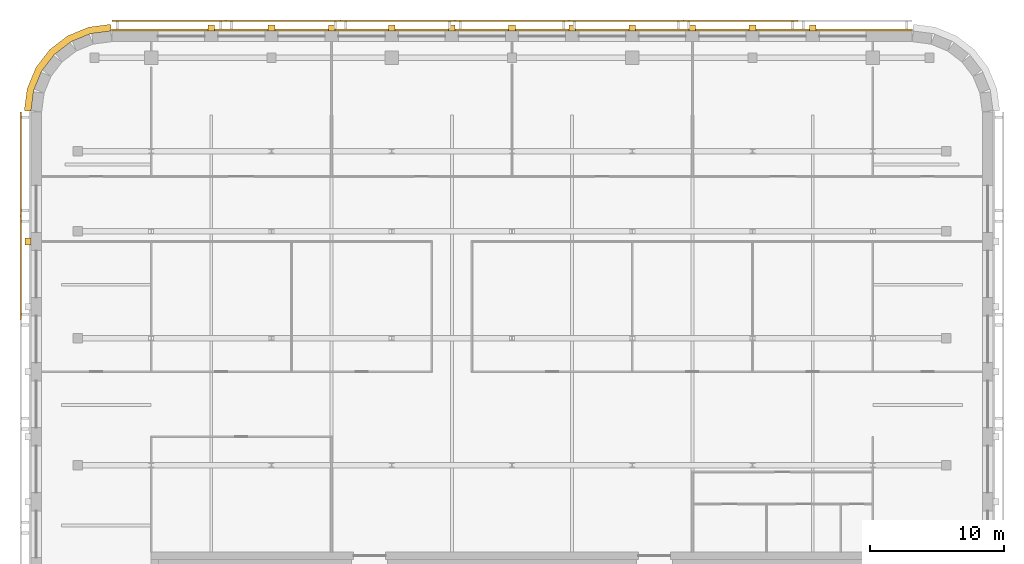
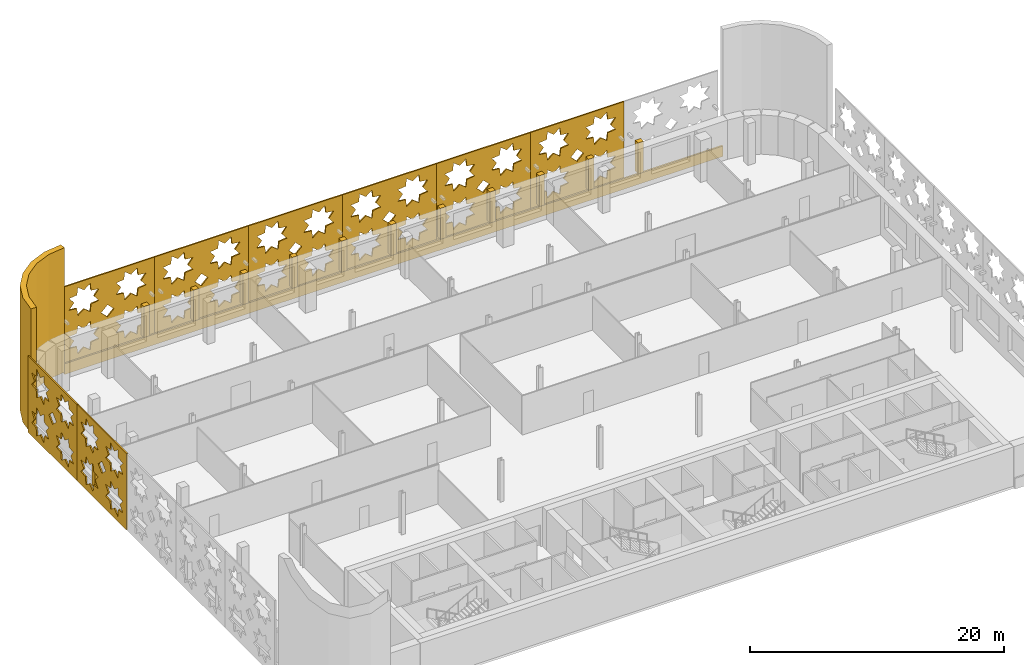
# One storey, part 15 of 16: 22 coverings.
"""IFC4 building model written with IfcOpenShell, lengths in metres."""

from ifc_helpers import new_model, si_unit, direction, frame, origin, place, context, subcontext, project, spatial, polyline, outline, extrude, material, layer, layer_set, type_object, element, save


model = new_model("IFC4")

# Units and contexts
model_context = context("Model", 3, precision=1e-05, world=origin(), true_north=direction((0.0, 1.0)))
body_context = subcontext(model_context, "Body", "Model", "MODEL_VIEW")
ifc_project = project(units=[si_unit("LENGTHUNIT", "METRE"), si_unit("AREAUNIT", "SQUARE_METRE"), si_unit("VOLUMEUNIT", "CUBIC_METRE"), si_unit("PLANEANGLEUNIT", "RADIAN"), si_unit("MASSUNIT", "GRAM", prefix="KILO")], contexts=[model_context])

# Site, building, storey
site_placement = place(None, origin())
site = spatial("IfcSite", under=ifc_project, at=site_placement, CompositionType="ELEMENT")
building_placement = place(site_placement, origin())
building = spatial("IfcBuilding", under=site, at=building_placement, Name="Zellij Exchange Tower", CompositionType="ELEMENT")
storey_placement = place(building_placement, frame((0.0, 0.0, 272.5)))
storey = spatial("IfcBuildingStorey", under=building, at=storey_placement, Name="L64", CompositionType="ELEMENT", Elevation=272.5)

# Coverings
ifc_material_1 = material(Name="Limestone cladding", Category="masonry")
ifc_layer_1 = layer(ifc_material_1, 0.14990234375)
ifc_layer_set_1 = layer_set([ifc_layer_1], Name="Limestone cladding")
covering_type_1 = type_object("IfcCoveringType", Name="ENV-CV1 Stone spandrel band 150", PredefinedType="CLADDING", material=ifc_layer_set_1)
covering_1_placement = place(storey_placement, frame((0.0, 0.0, -0.219970703125)))
element("IfcCovering", 1, at=covering_1_placement, inside=storey, type_object=covering_type_1, Name="Stone spandrel band", PredefinedType="CLADDING", context=body_context, shape_type="SweptSolid", body=[
    extrude(outline(polyline([(29.973876953125, 37.0), (-29.973876953125, 37.0), (-29.983642578125, 37.14990234375), (29.983642578125, 37.14990234375), (29.973876953125, 37.0)])), origin(), (0.0, 0.0, 1.0), 1.02001953125),
])
ifc_layer_2 = layer(ifc_material_1, 0.5)
ifc_layer_set_2 = layer_set([ifc_layer_2], Name="Limestone cladding")
covering_type_2 = type_object("IfcCoveringType", Name="ENV-CV12 Stone corner pier 500", PredefinedType="CLADDING", material=ifc_layer_set_2)
covering_2_placement = place(storey_placement, origin())
element("IfcCovering", 2, at=covering_2_placement, inside=storey, type_object=covering_type_2, Name="Stone corner pier", PredefinedType="CLADDING", context=body_context, shape_type="SweptSolid", body=[
    extrude(outline(polyline([(-30.0, 37.0), (-31.552978515625, 36.795654296875), (-33.0, 36.1962890625), (-34.24267578125, 35.24267578125), (-35.1962890625, 34.0), (-35.795654296875, 32.552978515625), (-36.0, 31.0), (-36.5, 31.03271484375), (-36.28271484375, 32.683349609375), (-35.6328125, 34.252197265625), (-34.59912109375, 35.59912109375), (-33.252197265625, 36.6328125), (-31.683349609375, 37.28271484375), (-30.03271484375, 37.5), (-30.0, 37.0)])), origin(), (0.0, 0.0, 1.0), 12.0),
])
covering_type_3 = type_object("IfcCoveringType", Name="ENV-CV4 Stone pier 500x450", PredefinedType="CLADDING", material=ifc_material_1)
covering_3_placement = place(storey_placement, frame((0.0, 0.0, 0.800048828125)))
element("IfcCovering", 3, at=covering_3_placement, inside=storey, type_object=covering_type_3, Name="Stone pier", PredefinedType="CLADDING", context=body_context, shape_type="SweptSolid", body=[
    extrude(outline(polyline([(22.75, 37.0), (22.25, 37.0), (22.25, 37.449951171875), (22.75, 37.449951171875), (22.75, 37.0)])), origin(), (0.0, 0.0, 1.0), 2.97998046875),
])
covering_4_placement = place(storey_placement, frame((0.0, 0.0, 0.800048828125)))
element("IfcCovering", 4, at=covering_4_placement, inside=storey, type_object=covering_type_3, Name="Stone pier", PredefinedType="CLADDING", context=body_context, shape_type="SweptSolid", body=[
    extrude(outline(polyline([(18.25, 37.0), (17.75, 37.0), (17.75, 37.449951171875), (18.25, 37.449951171875), (18.25, 37.0)])), origin(), (0.0, 0.0, 1.0), 2.97998046875),
])
covering_5_placement = place(storey_placement, frame((0.0, 0.0, 0.800048828125)))
element("IfcCovering", 5, at=covering_5_placement, inside=storey, type_object=covering_type_3, Name="Stone pier", PredefinedType="CLADDING", context=body_context, shape_type="SweptSolid", body=[
    extrude(outline(polyline([(13.75, 37.0), (13.25, 37.0), (13.25, 37.449951171875), (13.75, 37.449951171875), (13.75, 37.0)])), origin(), (0.0, 0.0, 1.0), 2.97998046875),
])
covering_6_placement = place(storey_placement, frame((0.0, 0.0, 0.800048828125)))
element("IfcCovering", 6, at=covering_6_placement, inside=storey, type_object=covering_type_3, Name="Stone pier", PredefinedType="CLADDING", context=body_context, shape_type="SweptSolid", body=[
    extrude(outline(polyline([(9.25, 37.0), (8.75, 37.0), (8.75, 37.449951171875), (9.25, 37.449951171875), (9.25, 37.0)])), origin(), (0.0, 0.0, 1.0), 2.97998046875),
])
covering_7_placement = place(storey_placement, frame((0.0, 0.0, 0.800048828125)))
element("IfcCovering", 7, at=covering_7_placement, inside=storey, type_object=covering_type_3, Name="Stone pier", PredefinedType="CLADDING", context=body_context, shape_type="SweptSolid", body=[
    extrude(outline(polyline([(4.75, 37.0), (4.25, 37.0), (4.25, 37.449951171875), (4.75, 37.449951171875), (4.75, 37.0)])), origin(), (0.0, 0.0, 1.0), 2.97998046875),
])
covering_8_placement = place(storey_placement, frame((0.0, 0.0, 0.800048828125)))
element("IfcCovering", 8, at=covering_8_placement, inside=storey, type_object=covering_type_3, Name="Stone pier", PredefinedType="CLADDING", context=body_context, shape_type="SweptSolid", body=[
    extrude(outline(polyline([(0.25, 37.0), (-0.25, 37.0), (-0.25, 37.449951171875), (0.25, 37.449951171875), (0.25, 37.0)])), origin(), (0.0, 0.0, 1.0), 2.97998046875),
])
covering_9_placement = place(storey_placement, frame((0.0, 0.0, 0.800048828125)))
element("IfcCovering", 9, at=covering_9_placement, inside=storey, type_object=covering_type_3, Name="Stone pier", PredefinedType="CLADDING", context=body_context, shape_type="SweptSolid", body=[
    extrude(outline(polyline([(-4.25, 37.0), (-4.75, 37.0), (-4.75, 37.449951171875), (-4.25, 37.449951171875), (-4.25, 37.0)])), origin(), (0.0, 0.0, 1.0), 2.97998046875),
])
covering_10_placement = place(storey_placement, frame((0.0, 0.0, 0.800048828125)))
element("IfcCovering", 10, at=covering_10_placement, inside=storey, type_object=covering_type_3, Name="Stone pier", PredefinedType="CLADDING", context=body_context, shape_type="SweptSolid", body=[
    extrude(outline(polyline([(-8.75, 37.0), (-9.25, 37.0), (-9.25, 37.449951171875), (-8.75, 37.449951171875), (-8.75, 37.0)])), origin(), (0.0, 0.0, 1.0), 2.97998046875),
])
covering_11_placement = place(storey_placement, frame((0.0, 0.0, 0.800048828125)))
element("IfcCovering", 11, at=covering_11_placement, inside=storey, type_object=covering_type_3, Name="Stone pier", PredefinedType="CLADDING", context=body_context, shape_type="SweptSolid", body=[
    extrude(outline(polyline([(-13.25, 37.0), (-13.75, 37.0), (-13.75, 37.449951171875), (-13.25, 37.449951171875), (-13.25, 37.0)])), origin(), (0.0, 0.0, 1.0), 2.97998046875),
])
covering_12_placement = place(storey_placement, frame((0.0, 0.0, 0.800048828125)))
element("IfcCovering", 12, at=covering_12_placement, inside=storey, type_object=covering_type_3, Name="Stone pier", PredefinedType="CLADDING", context=body_context, shape_type="SweptSolid", body=[
    extrude(outline(polyline([(-17.75, 37.0), (-18.25, 37.0), (-18.25, 37.449951171875), (-17.75, 37.449951171875), (-17.75, 37.0)])), origin(), (0.0, 0.0, 1.0), 2.97998046875),
])
covering_13_placement = place(storey_placement, frame((0.0, 0.0, 0.800048828125)))
element("IfcCovering", 13, at=covering_13_placement, inside=storey, type_object=covering_type_3, Name="Stone pier", PredefinedType="CLADDING", context=body_context, shape_type="SweptSolid", body=[
    extrude(outline(polyline([(-22.25, 37.0), (-22.75, 37.0), (-22.75, 37.449951171875), (-22.25, 37.449951171875), (-22.25, 37.0)])), origin(), (0.0, 0.0, 1.0), 2.97998046875),
])
covering_14_placement = place(storey_placement, frame((0.0, 0.0, 0.800048828125)))
element("IfcCovering", 14, at=covering_14_placement, inside=storey, type_object=covering_type_3, Name="Stone pier", PredefinedType="CLADDING", context=body_context, shape_type="SweptSolid", body=[
    extrude(outline(polyline([(-36.0, 21.48681640625), (-36.0, 20.98681640625), (-36.449951171875, 20.98681640625), (-36.449951171875, 21.48681640625), (-36.0, 21.48681640625)])), origin(), (0.0, 0.0, 1.0), 2.97998046875),
])
ifc_material_2 = material(Name="Limestone screen", Category="masonry")
ifc_layer_3 = layer(ifc_material_2, 0.1201171875)
ifc_layer_set_3 = layer_set([ifc_layer_3], Name="Limestone screen")
covering_type_4 = type_object("IfcCoveringType", Name="ENV-SC1 Pierced stone screen 120", PredefinedType="USERDEFINED", material=ifc_layer_set_3)
covering_15_placement = place(storey_placement, frame((-36.760009765625, 30.947509765625, 0.300048828125), z_axis=(0.0, 0.0, 1.0), x_axis=(0.0, -1.0, 0.0)))
element("IfcCovering", 15, at=covering_15_placement, inside=storey, type_object=covering_type_4, Name="Pierced stone screen", ObjectType="SCREEN", PredefinedType="USERDEFINED", context=body_context, shape_type="SweptSolid", body=[
    extrude(outline(polyline([(0.0, 0.0), (7.779052734375, 0.0), (7.779052734375, 7.35009765625), (0.0, 7.35009765625), (0.0, 0.0)]), holes=[polyline([(3.302978515625, 2.39990234375), (2.589111328125, 2.48193359375), (2.50732421875, 3.195556640625), (1.94482421875, 2.748779296875), (1.382080078125, 3.195556640625), (1.30029296875, 2.48193359375), (0.586669921875, 2.39990234375), (1.033447265625, 1.83740234375), (0.586669921875, 1.27490234375), (1.30029296875, 1.193115234375), (1.382080078125, 0.4794921875), (1.94482421875, 0.926025390625), (2.50732421875, 0.4794921875), (2.589111328125, 1.193115234375), (3.302978515625, 1.27490234375), (2.856201171875, 1.83740234375), (3.302978515625, 2.39990234375)]), polyline([(3.302978515625, 6.074951171875), (2.589111328125, 6.156982421875), (2.50732421875, 6.87060546875), (1.94482421875, 6.423828125), (1.382080078125, 6.87060546875), (1.30029296875, 6.156982421875), (0.586669921875, 6.074951171875), (1.033447265625, 5.512451171875), (0.586669921875, 4.949951171875), (1.30029296875, 4.867919921875), (1.382080078125, 4.154296875), (1.94482421875, 4.60107421875), (2.50732421875, 4.154296875), (2.589111328125, 4.867919921875), (3.302978515625, 4.949951171875), (2.856201171875, 5.512451171875), (3.302978515625, 6.074951171875)]), polyline([(7.1923828125, 2.39990234375), (6.478759765625, 2.48193359375), (6.396728515625, 3.195556640625), (5.834228515625, 2.748779296875), (5.271728515625, 3.195556640625), (5.189697265625, 2.48193359375), (4.476318359375, 2.39990234375), (4.9228515625, 1.83740234375), (4.476318359375, 1.27490234375), (5.189697265625, 1.193115234375), (5.271728515625, 0.4794921875), (5.834228515625, 0.926025390625), (6.396728515625, 0.4794921875), (6.478759765625, 1.193115234375), (7.1923828125, 1.27490234375), (6.74560546875, 1.83740234375), (7.1923828125, 2.39990234375)]), polyline([(7.1923828125, 6.074951171875), (6.478759765625, 6.156982421875), (6.396728515625, 6.87060546875), (5.834228515625, 6.423828125), (5.271728515625, 6.87060546875), (5.189697265625, 6.156982421875), (4.476318359375, 6.074951171875), (4.9228515625, 5.512451171875), (4.476318359375, 4.949951171875), (5.189697265625, 4.867919921875), (5.271728515625, 4.154296875), (5.834228515625, 4.60107421875), (6.396728515625, 4.154296875), (6.478759765625, 4.867919921875), (7.1923828125, 4.949951171875), (6.74560546875, 5.512451171875), (7.1923828125, 6.074951171875)]), polyline([(4.4775390625, 3.675048828125), (3.889404296875, 4.262939453125), (3.301513671875, 3.675048828125), (3.889404296875, 3.0869140625), (4.4775390625, 3.675048828125)])]), frame((0.0, 0.06005859375, 0.0), z_axis=(0.0, -1.0, 0.0), x_axis=(1.0, 0.0, 0.0)), (0.0, 0.0, 1.0), 0.1201171875),
])
covering_16_placement = place(storey_placement, frame((-36.760009765625, 23.168701171875, 0.300048828125), z_axis=(0.0, 0.0, 1.0), x_axis=(0.0, -1.0, 0.0)))
element("IfcCovering", 16, at=covering_16_placement, inside=storey, type_object=covering_type_4, Name="Pierced stone screen", ObjectType="SCREEN", PredefinedType="USERDEFINED", context=body_context, shape_type="SweptSolid", body=[
    extrude(outline(polyline([(0.0, 0.0), (7.779052734375, 0.0), (7.779052734375, 7.35009765625), (0.0, 7.35009765625), (0.0, 0.0)]), holes=[polyline([(3.302978515625, 2.39990234375), (2.589111328125, 2.48193359375), (2.50732421875, 3.195556640625), (1.94482421875, 2.748779296875), (1.382080078125, 3.195556640625), (1.30029296875, 2.48193359375), (0.586669921875, 2.39990234375), (1.033447265625, 1.83740234375), (0.586669921875, 1.27490234375), (1.30029296875, 1.193115234375), (1.382080078125, 0.4794921875), (1.94482421875, 0.926025390625), (2.50732421875, 0.4794921875), (2.589111328125, 1.193115234375), (3.302978515625, 1.27490234375), (2.856201171875, 1.83740234375), (3.302978515625, 2.39990234375)]), polyline([(3.302978515625, 6.074951171875), (2.589111328125, 6.156982421875), (2.50732421875, 6.87060546875), (1.94482421875, 6.423828125), (1.382080078125, 6.87060546875), (1.30029296875, 6.156982421875), (0.586669921875, 6.074951171875), (1.033447265625, 5.512451171875), (0.586669921875, 4.949951171875), (1.30029296875, 4.867919921875), (1.382080078125, 4.154296875), (1.94482421875, 4.60107421875), (2.50732421875, 4.154296875), (2.589111328125, 4.867919921875), (3.302978515625, 4.949951171875), (2.856201171875, 5.512451171875), (3.302978515625, 6.074951171875)]), polyline([(7.1923828125, 2.39990234375), (6.478759765625, 2.48193359375), (6.396728515625, 3.195556640625), (5.834228515625, 2.748779296875), (5.271728515625, 3.195556640625), (5.189697265625, 2.48193359375), (4.476318359375, 2.39990234375), (4.9228515625, 1.83740234375), (4.476318359375, 1.27490234375), (5.189697265625, 1.193115234375), (5.271728515625, 0.4794921875), (5.834228515625, 0.926025390625), (6.396728515625, 0.4794921875), (6.478759765625, 1.193115234375), (7.1923828125, 1.27490234375), (6.74560546875, 1.83740234375), (7.1923828125, 2.39990234375)]), polyline([(7.1923828125, 6.074951171875), (6.478759765625, 6.156982421875), (6.396728515625, 6.87060546875), (5.834228515625, 6.423828125), (5.271728515625, 6.87060546875), (5.189697265625, 6.156982421875), (4.476318359375, 6.074951171875), (4.9228515625, 5.512451171875), (4.476318359375, 4.949951171875), (5.189697265625, 4.867919921875), (5.271728515625, 4.154296875), (5.834228515625, 4.60107421875), (6.396728515625, 4.154296875), (6.478759765625, 4.867919921875), (7.1923828125, 4.949951171875), (6.74560546875, 5.512451171875), (7.1923828125, 6.074951171875)]), polyline([(4.4775390625, 3.675048828125), (3.889404296875, 4.262939453125), (3.301513671875, 3.675048828125), (3.889404296875, 3.0869140625), (4.4775390625, 3.675048828125)])]), frame((0.0, 0.06005859375, 0.0), z_axis=(0.0, -1.0, 0.0), x_axis=(1.0, 0.0, 0.0)), (0.0, 0.0, 1.0), 0.1201171875),
])
covering_17_placement = place(storey_placement, frame((21.39111328125, 37.760009765625, 0.300048828125), z_axis=(0.0, 0.0, 1.0), x_axis=(-1.0, 0.0, 0.0)))
element("IfcCovering", 17, at=covering_17_placement, inside=storey, type_object=covering_type_4, Name="Pierced stone screen", ObjectType="SCREEN", PredefinedType="USERDEFINED", context=body_context, shape_type="SweptSolid", body=[
    extrude(outline(polyline([(0.0, 0.0), (8.556396484375, 0.0), (8.556396484375, 7.35009765625), (0.0, 7.35009765625), (0.0, 0.0)]), holes=[polyline([(3.497314453125, 2.39990234375), (2.78369140625, 2.48193359375), (2.70166015625, 3.195556640625), (2.13916015625, 2.748779296875), (1.57666015625, 3.195556640625), (1.49462890625, 2.48193359375), (0.781005859375, 2.39990234375), (1.227783203125, 1.83740234375), (0.781005859375, 1.27490234375), (1.49462890625, 1.193115234375), (1.57666015625, 0.4794921875), (2.13916015625, 0.926025390625), (2.70166015625, 0.4794921875), (2.78369140625, 1.193115234375), (3.497314453125, 1.27490234375), (3.050537109375, 1.83740234375), (3.497314453125, 2.39990234375)]), polyline([(3.497314453125, 6.074951171875), (2.78369140625, 6.156982421875), (2.70166015625, 6.87060546875), (2.13916015625, 6.423828125), (1.57666015625, 6.87060546875), (1.49462890625, 6.156982421875), (0.781005859375, 6.074951171875), (1.227783203125, 5.512451171875), (0.781005859375, 4.949951171875), (1.49462890625, 4.867919921875), (1.57666015625, 4.154296875), (2.13916015625, 4.60107421875), (2.70166015625, 4.154296875), (2.78369140625, 4.867919921875), (3.497314453125, 4.949951171875), (3.050537109375, 5.512451171875), (3.497314453125, 6.074951171875)]), polyline([(7.775390625, 2.39990234375), (7.061767578125, 2.48193359375), (6.97998046875, 3.195556640625), (6.417236328125, 2.748779296875), (5.854736328125, 3.195556640625), (5.77294921875, 2.48193359375), (5.05908203125, 2.39990234375), (5.505859375, 1.83740234375), (5.05908203125, 1.27490234375), (5.77294921875, 1.193115234375), (5.854736328125, 0.4794921875), (6.417236328125, 0.926025390625), (6.97998046875, 0.4794921875), (7.061767578125, 1.193115234375), (7.775390625, 1.27490234375), (7.32861328125, 1.83740234375), (7.775390625, 2.39990234375)]), polyline([(7.775390625, 6.074951171875), (7.061767578125, 6.156982421875), (6.97998046875, 6.87060546875), (6.417236328125, 6.423828125), (5.854736328125, 6.87060546875), (5.77294921875, 6.156982421875), (5.05908203125, 6.074951171875), (5.505859375, 5.512451171875), (5.05908203125, 4.949951171875), (5.77294921875, 4.867919921875), (5.854736328125, 4.154296875), (6.417236328125, 4.60107421875), (6.97998046875, 4.154296875), (7.061767578125, 4.867919921875), (7.775390625, 4.949951171875), (7.32861328125, 5.512451171875), (7.775390625, 6.074951171875)]), polyline([(4.8662109375, 3.675048828125), (4.2783203125, 4.262939453125), (3.690185546875, 3.675048828125), (4.2783203125, 3.0869140625), (4.8662109375, 3.675048828125)])]), frame((0.0, 0.06005859375, 0.0), z_axis=(0.0, -1.0, 0.0), x_axis=(1.0, 0.0, 0.0)), (0.0, 0.0, 1.0), 0.1201171875),
])
covering_18_placement = place(storey_placement, frame((12.834716796875, 37.760009765625, 0.300048828125), z_axis=(0.0, 0.0, 1.0), x_axis=(-1.0, 0.0, 0.0)))
element("IfcCovering", 18, at=covering_18_placement, inside=storey, type_object=covering_type_4, Name="Pierced stone screen", ObjectType="SCREEN", PredefinedType="USERDEFINED", context=body_context, shape_type="SweptSolid", body=[
    extrude(outline(polyline([(0.0, 0.0), (8.556396484375, 0.0), (8.556396484375, 7.35009765625), (0.0, 7.35009765625), (0.0, 0.0)]), holes=[polyline([(3.497314453125, 2.39990234375), (2.78369140625, 2.48193359375), (2.70166015625, 3.195556640625), (2.13916015625, 2.748779296875), (1.57666015625, 3.195556640625), (1.49462890625, 2.48193359375), (0.781005859375, 2.39990234375), (1.227783203125, 1.83740234375), (0.781005859375, 1.27490234375), (1.49462890625, 1.193115234375), (1.57666015625, 0.4794921875), (2.13916015625, 0.926025390625), (2.70166015625, 0.4794921875), (2.78369140625, 1.193115234375), (3.497314453125, 1.27490234375), (3.050537109375, 1.83740234375), (3.497314453125, 2.39990234375)]), polyline([(3.497314453125, 6.074951171875), (2.78369140625, 6.156982421875), (2.70166015625, 6.87060546875), (2.13916015625, 6.423828125), (1.57666015625, 6.87060546875), (1.49462890625, 6.156982421875), (0.781005859375, 6.074951171875), (1.227783203125, 5.512451171875), (0.781005859375, 4.949951171875), (1.49462890625, 4.867919921875), (1.57666015625, 4.154296875), (2.13916015625, 4.60107421875), (2.70166015625, 4.154296875), (2.78369140625, 4.867919921875), (3.497314453125, 4.949951171875), (3.050537109375, 5.512451171875), (3.497314453125, 6.074951171875)]), polyline([(7.775390625, 2.39990234375), (7.061767578125, 2.48193359375), (6.97998046875, 3.195556640625), (6.417236328125, 2.748779296875), (5.854736328125, 3.195556640625), (5.77294921875, 2.48193359375), (5.05908203125, 2.39990234375), (5.505859375, 1.83740234375), (5.05908203125, 1.27490234375), (5.77294921875, 1.193115234375), (5.854736328125, 0.4794921875), (6.417236328125, 0.926025390625), (6.97998046875, 0.4794921875), (7.061767578125, 1.193115234375), (7.775390625, 1.27490234375), (7.32861328125, 1.83740234375), (7.775390625, 2.39990234375)]), polyline([(7.775390625, 6.074951171875), (7.061767578125, 6.156982421875), (6.97998046875, 6.87060546875), (6.417236328125, 6.423828125), (5.854736328125, 6.87060546875), (5.77294921875, 6.156982421875), (5.05908203125, 6.074951171875), (5.505859375, 5.512451171875), (5.05908203125, 4.949951171875), (5.77294921875, 4.867919921875), (5.854736328125, 4.154296875), (6.417236328125, 4.60107421875), (6.97998046875, 4.154296875), (7.061767578125, 4.867919921875), (7.775390625, 4.949951171875), (7.32861328125, 5.512451171875), (7.775390625, 6.074951171875)]), polyline([(4.8662109375, 3.675048828125), (4.2783203125, 4.262939453125), (3.690185546875, 3.675048828125), (4.2783203125, 3.0869140625), (4.8662109375, 3.675048828125)])]), frame((0.0, 0.06005859375, 0.0), z_axis=(0.0, -1.0, 0.0), x_axis=(1.0, 0.0, 0.0)), (0.0, 0.0, 1.0), 0.1201171875),
])
covering_19_placement = place(storey_placement, frame((4.2783203125, 37.760009765625, 0.300048828125), z_axis=(0.0, 0.0, 1.0), x_axis=(-1.0, 0.0, 0.0)))
element("IfcCovering", 19, at=covering_19_placement, inside=storey, type_object=covering_type_4, Name="Pierced stone screen", ObjectType="SCREEN", PredefinedType="USERDEFINED", context=body_context, shape_type="SweptSolid", body=[
    extrude(outline(polyline([(0.0, 0.0), (8.556396484375, 0.0), (8.556396484375, 7.35009765625), (0.0, 7.35009765625), (0.0, 0.0)]), holes=[polyline([(3.497314453125, 2.39990234375), (2.78369140625, 2.48193359375), (2.70166015625, 3.195556640625), (2.13916015625, 2.748779296875), (1.57666015625, 3.195556640625), (1.49462890625, 2.48193359375), (0.781005859375, 2.39990234375), (1.227783203125, 1.83740234375), (0.781005859375, 1.27490234375), (1.49462890625, 1.193115234375), (1.57666015625, 0.4794921875), (2.13916015625, 0.926025390625), (2.70166015625, 0.4794921875), (2.78369140625, 1.193115234375), (3.497314453125, 1.27490234375), (3.050537109375, 1.83740234375), (3.497314453125, 2.39990234375)]), polyline([(3.497314453125, 6.074951171875), (2.78369140625, 6.156982421875), (2.70166015625, 6.87060546875), (2.13916015625, 6.423828125), (1.57666015625, 6.87060546875), (1.49462890625, 6.156982421875), (0.781005859375, 6.074951171875), (1.227783203125, 5.512451171875), (0.781005859375, 4.949951171875), (1.49462890625, 4.867919921875), (1.57666015625, 4.154296875), (2.13916015625, 4.60107421875), (2.70166015625, 4.154296875), (2.78369140625, 4.867919921875), (3.497314453125, 4.949951171875), (3.050537109375, 5.512451171875), (3.497314453125, 6.074951171875)]), polyline([(7.775390625, 2.39990234375), (7.061767578125, 2.48193359375), (6.97998046875, 3.195556640625), (6.417236328125, 2.748779296875), (5.854736328125, 3.195556640625), (5.77294921875, 2.48193359375), (5.05908203125, 2.39990234375), (5.505859375, 1.83740234375), (5.05908203125, 1.27490234375), (5.77294921875, 1.193115234375), (5.854736328125, 0.4794921875), (6.417236328125, 0.926025390625), (6.97998046875, 0.4794921875), (7.061767578125, 1.193115234375), (7.775390625, 1.27490234375), (7.32861328125, 1.83740234375), (7.775390625, 2.39990234375)]), polyline([(7.775390625, 6.074951171875), (7.061767578125, 6.156982421875), (6.97998046875, 6.87060546875), (6.417236328125, 6.423828125), (5.854736328125, 6.87060546875), (5.77294921875, 6.156982421875), (5.05908203125, 6.074951171875), (5.505859375, 5.512451171875), (5.05908203125, 4.949951171875), (5.77294921875, 4.867919921875), (5.854736328125, 4.154296875), (6.417236328125, 4.60107421875), (6.97998046875, 4.154296875), (7.061767578125, 4.867919921875), (7.775390625, 4.949951171875), (7.32861328125, 5.512451171875), (7.775390625, 6.074951171875)]), polyline([(4.8662109375, 3.675048828125), (4.2783203125, 4.262939453125), (3.690185546875, 3.675048828125), (4.2783203125, 3.0869140625), (4.8662109375, 3.675048828125)])]), frame((0.0, 0.06005859375, 0.0), z_axis=(0.0, -1.0, 0.0), x_axis=(1.0, 0.0, 0.0)), (0.0, 0.0, 1.0), 0.1201171875),
])
covering_20_placement = place(storey_placement, frame((-4.2783203125, 37.760009765625, 0.300048828125), z_axis=(0.0, 0.0, 1.0), x_axis=(-1.0, 0.0, 0.0)))
element("IfcCovering", 20, at=covering_20_placement, inside=storey, type_object=covering_type_4, Name="Pierced stone screen", ObjectType="SCREEN", PredefinedType="USERDEFINED", context=body_context, shape_type="SweptSolid", body=[
    extrude(outline(polyline([(0.0, 0.0), (8.556396484375, 0.0), (8.556396484375, 7.35009765625), (0.0, 7.35009765625), (0.0, 0.0)]), holes=[polyline([(3.497314453125, 2.39990234375), (2.78369140625, 2.48193359375), (2.70166015625, 3.195556640625), (2.13916015625, 2.748779296875), (1.57666015625, 3.195556640625), (1.49462890625, 2.48193359375), (0.781005859375, 2.39990234375), (1.227783203125, 1.83740234375), (0.781005859375, 1.27490234375), (1.49462890625, 1.193115234375), (1.57666015625, 0.4794921875), (2.13916015625, 0.926025390625), (2.70166015625, 0.4794921875), (2.78369140625, 1.193115234375), (3.497314453125, 1.27490234375), (3.050537109375, 1.83740234375), (3.497314453125, 2.39990234375)]), polyline([(3.497314453125, 6.074951171875), (2.78369140625, 6.156982421875), (2.70166015625, 6.87060546875), (2.13916015625, 6.423828125), (1.57666015625, 6.87060546875), (1.49462890625, 6.156982421875), (0.781005859375, 6.074951171875), (1.227783203125, 5.512451171875), (0.781005859375, 4.949951171875), (1.49462890625, 4.867919921875), (1.57666015625, 4.154296875), (2.13916015625, 4.60107421875), (2.70166015625, 4.154296875), (2.78369140625, 4.867919921875), (3.497314453125, 4.949951171875), (3.050537109375, 5.512451171875), (3.497314453125, 6.074951171875)]), polyline([(7.775390625, 2.39990234375), (7.061767578125, 2.48193359375), (6.97998046875, 3.195556640625), (6.417236328125, 2.748779296875), (5.854736328125, 3.195556640625), (5.77294921875, 2.48193359375), (5.05908203125, 2.39990234375), (5.505859375, 1.83740234375), (5.05908203125, 1.27490234375), (5.77294921875, 1.193115234375), (5.854736328125, 0.4794921875), (6.417236328125, 0.926025390625), (6.97998046875, 0.4794921875), (7.061767578125, 1.193115234375), (7.775390625, 1.27490234375), (7.32861328125, 1.83740234375), (7.775390625, 2.39990234375)]), polyline([(7.775390625, 6.074951171875), (7.061767578125, 6.156982421875), (6.97998046875, 6.87060546875), (6.417236328125, 6.423828125), (5.854736328125, 6.87060546875), (5.77294921875, 6.156982421875), (5.05908203125, 6.074951171875), (5.505859375, 5.512451171875), (5.05908203125, 4.949951171875), (5.77294921875, 4.867919921875), (5.854736328125, 4.154296875), (6.417236328125, 4.60107421875), (6.97998046875, 4.154296875), (7.061767578125, 4.867919921875), (7.775390625, 4.949951171875), (7.32861328125, 5.512451171875), (7.775390625, 6.074951171875)]), polyline([(4.8662109375, 3.675048828125), (4.2783203125, 4.262939453125), (3.690185546875, 3.675048828125), (4.2783203125, 3.0869140625), (4.8662109375, 3.675048828125)])]), frame((0.0, 0.06005859375, 0.0), z_axis=(0.0, -1.0, 0.0), x_axis=(1.0, 0.0, 0.0)), (0.0, 0.0, 1.0), 0.1201171875),
])
covering_21_placement = place(storey_placement, frame((-12.834716796875, 37.760009765625, 0.300048828125), z_axis=(0.0, 0.0, 1.0), x_axis=(-1.0, 0.0, 0.0)))
element("IfcCovering", 21, at=covering_21_placement, inside=storey, type_object=covering_type_4, Name="Pierced stone screen", ObjectType="SCREEN", PredefinedType="USERDEFINED", context=body_context, shape_type="SweptSolid", body=[
    extrude(outline(polyline([(0.0, 0.0), (8.556396484375, 0.0), (8.556396484375, 7.35009765625), (0.0, 7.35009765625), (0.0, 0.0)]), holes=[polyline([(3.497314453125, 2.39990234375), (2.78369140625, 2.48193359375), (2.70166015625, 3.195556640625), (2.13916015625, 2.748779296875), (1.57666015625, 3.195556640625), (1.49462890625, 2.48193359375), (0.781005859375, 2.39990234375), (1.227783203125, 1.83740234375), (0.781005859375, 1.27490234375), (1.49462890625, 1.193115234375), (1.57666015625, 0.4794921875), (2.13916015625, 0.926025390625), (2.70166015625, 0.4794921875), (2.78369140625, 1.193115234375), (3.497314453125, 1.27490234375), (3.050537109375, 1.83740234375), (3.497314453125, 2.39990234375)]), polyline([(3.497314453125, 6.074951171875), (2.78369140625, 6.156982421875), (2.70166015625, 6.87060546875), (2.13916015625, 6.423828125), (1.57666015625, 6.87060546875), (1.49462890625, 6.156982421875), (0.781005859375, 6.074951171875), (1.227783203125, 5.512451171875), (0.781005859375, 4.949951171875), (1.49462890625, 4.867919921875), (1.57666015625, 4.154296875), (2.13916015625, 4.60107421875), (2.70166015625, 4.154296875), (2.78369140625, 4.867919921875), (3.497314453125, 4.949951171875), (3.050537109375, 5.512451171875), (3.497314453125, 6.074951171875)]), polyline([(7.775390625, 2.39990234375), (7.061767578125, 2.48193359375), (6.97998046875, 3.195556640625), (6.417236328125, 2.748779296875), (5.854736328125, 3.195556640625), (5.77294921875, 2.48193359375), (5.05908203125, 2.39990234375), (5.505859375, 1.83740234375), (5.05908203125, 1.27490234375), (5.77294921875, 1.193115234375), (5.854736328125, 0.4794921875), (6.417236328125, 0.926025390625), (6.97998046875, 0.4794921875), (7.061767578125, 1.193115234375), (7.775390625, 1.27490234375), (7.32861328125, 1.83740234375), (7.775390625, 2.39990234375)]), polyline([(7.775390625, 6.074951171875), (7.061767578125, 6.156982421875), (6.97998046875, 6.87060546875), (6.417236328125, 6.423828125), (5.854736328125, 6.87060546875), (5.77294921875, 6.156982421875), (5.05908203125, 6.074951171875), (5.505859375, 5.512451171875), (5.05908203125, 4.949951171875), (5.77294921875, 4.867919921875), (5.854736328125, 4.154296875), (6.417236328125, 4.60107421875), (6.97998046875, 4.154296875), (7.061767578125, 4.867919921875), (7.775390625, 4.949951171875), (7.32861328125, 5.512451171875), (7.775390625, 6.074951171875)]), polyline([(4.8662109375, 3.675048828125), (4.2783203125, 4.262939453125), (3.690185546875, 3.675048828125), (4.2783203125, 3.0869140625), (4.8662109375, 3.675048828125)])]), frame((0.0, 0.06005859375, 0.0), z_axis=(0.0, -1.0, 0.0), x_axis=(1.0, 0.0, 0.0)), (0.0, 0.0, 1.0), 0.1201171875),
])
covering_22_placement = place(storey_placement, frame((-21.39111328125, 37.760009765625, 0.300048828125), z_axis=(0.0, 0.0, 1.0), x_axis=(-1.0, 0.0, 0.0)))
element("IfcCovering", 22, at=covering_22_placement, inside=storey, type_object=covering_type_4, Name="Pierced stone screen", ObjectType="SCREEN", PredefinedType="USERDEFINED", context=body_context, shape_type="SweptSolid", body=[
    extrude(outline(polyline([(0.0, 0.0), (8.556396484375, 0.0), (8.556396484375, 7.35009765625), (0.0, 7.35009765625), (0.0, 0.0)]), holes=[polyline([(3.497314453125, 2.39990234375), (2.78369140625, 2.48193359375), (2.70166015625, 3.195556640625), (2.13916015625, 2.748779296875), (1.57666015625, 3.195556640625), (1.49462890625, 2.48193359375), (0.781005859375, 2.39990234375), (1.227783203125, 1.83740234375), (0.781005859375, 1.27490234375), (1.49462890625, 1.193115234375), (1.57666015625, 0.4794921875), (2.13916015625, 0.926025390625), (2.70166015625, 0.4794921875), (2.78369140625, 1.193115234375), (3.497314453125, 1.27490234375), (3.050537109375, 1.83740234375), (3.497314453125, 2.39990234375)]), polyline([(3.497314453125, 6.074951171875), (2.78369140625, 6.156982421875), (2.70166015625, 6.87060546875), (2.13916015625, 6.423828125), (1.57666015625, 6.87060546875), (1.49462890625, 6.156982421875), (0.781005859375, 6.074951171875), (1.227783203125, 5.512451171875), (0.781005859375, 4.949951171875), (1.49462890625, 4.867919921875), (1.57666015625, 4.154296875), (2.13916015625, 4.60107421875), (2.70166015625, 4.154296875), (2.78369140625, 4.867919921875), (3.497314453125, 4.949951171875), (3.050537109375, 5.512451171875), (3.497314453125, 6.074951171875)]), polyline([(7.775390625, 2.39990234375), (7.061767578125, 2.48193359375), (6.97998046875, 3.195556640625), (6.417236328125, 2.748779296875), (5.854736328125, 3.195556640625), (5.77294921875, 2.48193359375), (5.05908203125, 2.39990234375), (5.505859375, 1.83740234375), (5.05908203125, 1.27490234375), (5.77294921875, 1.193115234375), (5.854736328125, 0.4794921875), (6.417236328125, 0.926025390625), (6.97998046875, 0.4794921875), (7.061767578125, 1.193115234375), (7.775390625, 1.27490234375), (7.32861328125, 1.83740234375), (7.775390625, 2.39990234375)]), polyline([(7.775390625, 6.074951171875), (7.061767578125, 6.156982421875), (6.97998046875, 6.87060546875), (6.417236328125, 6.423828125), (5.854736328125, 6.87060546875), (5.77294921875, 6.156982421875), (5.05908203125, 6.074951171875), (5.505859375, 5.512451171875), (5.05908203125, 4.949951171875), (5.77294921875, 4.867919921875), (5.854736328125, 4.154296875), (6.417236328125, 4.60107421875), (6.97998046875, 4.154296875), (7.061767578125, 4.867919921875), (7.775390625, 4.949951171875), (7.32861328125, 5.512451171875), (7.775390625, 6.074951171875)]), polyline([(4.8662109375, 3.675048828125), (4.2783203125, 4.262939453125), (3.690185546875, 3.675048828125), (4.2783203125, 3.0869140625), (4.8662109375, 3.675048828125)])]), frame((0.0, 0.06005859375, 0.0), z_axis=(0.0, -1.0, 0.0), x_axis=(1.0, 0.0, 0.0)), (0.0, 0.0, 1.0), 0.1201171875),
])

save(model, "model.ifc")
